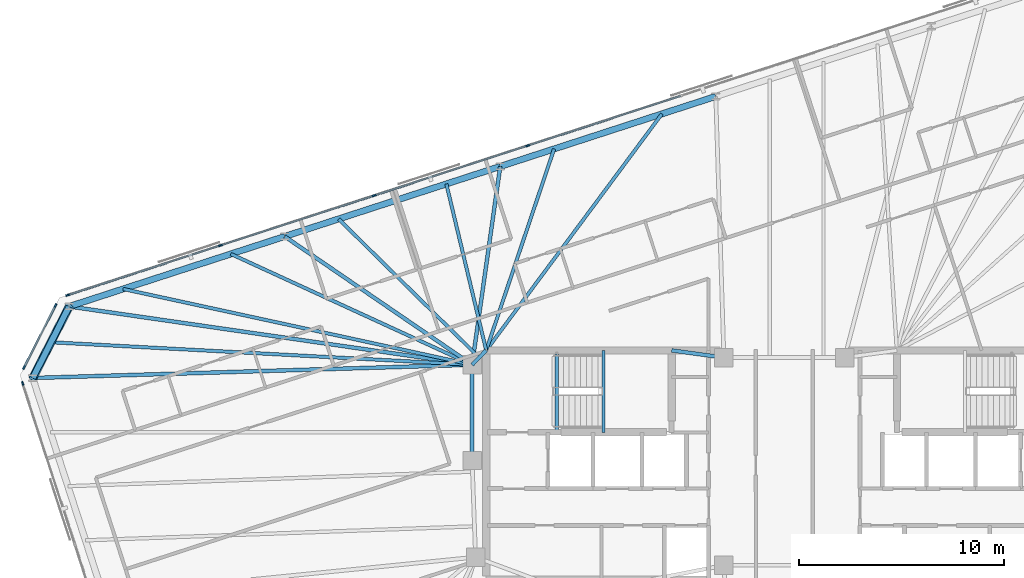
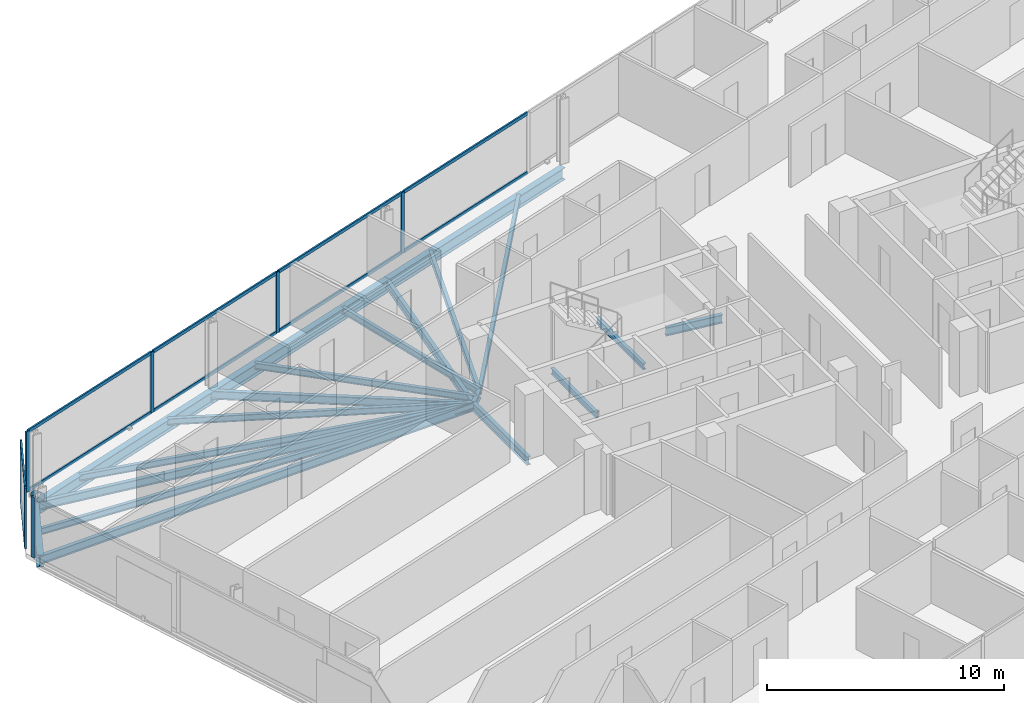
# One storey, part 9 of 20: 20 beams, 18 members, 3 elements without a shape of their own.
"""IFC4 building model written with IfcOpenShell, lengths in metres."""

from ifc_helpers import new_model, si_unit, direction, frame, origin, origin_2d, place, context, subcontext, project, spatial, rectangle, hollow_circle, i_section, extrude, material, material_profile, profile_set, type_object, element, aggregate, save


model = new_model("IFC4")

# Units and contexts
model_context = context("Model", 3, precision=1e-05, world=origin(), true_north=direction((0.0, 1.0)))
body_context = subcontext(model_context, "Body", "Model", "MODEL_VIEW")
ifc_project = project(units=[si_unit("LENGTHUNIT", "METRE"), si_unit("AREAUNIT", "SQUARE_METRE"), si_unit("VOLUMEUNIT", "CUBIC_METRE"), si_unit("PLANEANGLEUNIT", "RADIAN"), si_unit("MASSUNIT", "GRAM", prefix="KILO")], contexts=[model_context])

# Site, building, storey
site_placement = place(None, origin())
site = spatial("IfcSite", under=ifc_project, at=site_placement, CompositionType="ELEMENT")
building_placement = place(site_placement, origin())
building = spatial("IfcBuilding", under=site, at=building_placement, Name="Menara Jurai Vektor", CompositionType="ELEMENT")
storey_placement = place(building_placement, frame((0.0, 0.0, 217.60009765625)))
storey = spatial("IfcBuildingStorey", under=building, at=storey_placement, Name="L57", CompositionType="ELEMENT", Elevation=217.60009765625)

# Curtain wall, members
ifc_material_1 = material(Name="Anodised Pale Aluminium & Low-E Double Glazing", Category="aluminium")
curtain_wall_type = type_object("IfcCurtainWallType", Name="CW-BLK4", PredefinedType="NOTDEFINED", material=ifc_material_1)
curtain_wall_1_placement = place(storey_placement, origin())
curtain_wall_1 = element("IfcCurtainWall", 1, at=curtain_wall_1_placement, inside=storey, type_object=curtain_wall_type, Name="Unitised Curtain Wall L57 F05", PredefinedType="NOTDEFINED")
ifc_material_2 = material(Name="Anodised Pale Aluminium Mullion", Category="aluminium")
ifc_material_profile_1 = material_profile(ifc_material_2, rectangle(XDim=0.080078125, YDim=0.18994140625, at=origin_2d()), Name="ALU MUL 80x190")
ifc_profile_set_1 = profile_set([ifc_material_profile_1], Name="Anodised Pale Aluminium Mullion")
member_type_1 = type_object("IfcMemberType", Name="CW-BLK4-MUL", PredefinedType="MULLION", material=ifc_profile_set_1)
member_1_placement = place(storey_placement, frame((-12.532958984375, 15.601806640625, 0.0), z_axis=(0.0, 0.0, 1.0), x_axis=(0.309017344167, -0.951056402641, 0.0)))
member_1 = element("IfcMember", 2, at=member_1_placement, type_object=member_type_1, Name="CW-04 mullion 5", PredefinedType="MULLION", context=body_context, shape_type="SweptSolid", body=[
    extrude(rectangle(XDim=0.080078125, YDim=0.18994140625, at=origin_2d()), origin(), (0.0, 0.0, 1.0), 3.125),
])
member_2_placement = place(storey_placement, frame((-20.0380859375, 13.163330078125, 0.0), z_axis=(0.0, 0.0, 1.0), x_axis=(0.309017344167, -0.951056402641, 0.0)))
member_2 = element("IfcMember", 3, at=member_2_placement, type_object=member_type_1, Name="CW-04 mullion 6", PredefinedType="MULLION", context=body_context, shape_type="SweptSolid", body=[
    extrude(rectangle(XDim=0.080078125, YDim=0.18994140625, at=origin_2d()), origin(), (0.0, 0.0, 1.0), 3.125),
])
member_3_placement = place(storey_placement, frame((-27.543212890625, 10.724609375, 0.0), z_axis=(0.0, 0.0, 1.0), x_axis=(0.309017344167, -0.951056402641, 0.0)))
member_3 = element("IfcMember", 4, at=member_3_placement, type_object=member_type_1, Name="CW-04 mullion 7", PredefinedType="MULLION", context=body_context, shape_type="SweptSolid", body=[
    extrude(rectangle(XDim=0.080078125, YDim=0.18994140625, at=origin_2d()), origin(), (0.0, 0.0, 1.0), 3.125),
])
member_4_placement = place(storey_placement, frame((-35.010498046875, 8.29833984375, 0.0), z_axis=(0.0, 0.0, 1.0), x_axis=(0.309017344167, -0.951056402641, 0.0)))
member_4 = element("IfcMember", 5, at=member_4_placement, type_object=member_type_1, Name="CW-04 mullion 8", PredefinedType="MULLION", context=body_context, shape_type="SweptSolid", body=[
    extrude(rectangle(XDim=0.080078125, YDim=0.18994140625, at=origin_2d()), origin(), (0.0, 0.0, 1.0), 3.125),
])

curtain_wall_2_placement = place(storey_placement, origin())
curtain_wall_2 = element("IfcCurtainWall", 6, at=curtain_wall_2_placement, inside=storey, type_object=curtain_wall_type, Name="Unitised Curtain Wall L57 F06", PredefinedType="NOTDEFINED")
member_5_placement = place(storey_placement, frame((-35.6005859375, 7.79443359375, 0.0), z_axis=(0.0, 0.0, 1.0), x_axis=(0.89100750243, -0.453988579828, 0.0)))
member_5 = element("IfcMember", 7, at=member_5_placement, type_object=member_type_1, Name="CW-04 mullion 1", PredefinedType="MULLION", context=body_context, shape_type="SweptSolid", body=[
    extrude(rectangle(XDim=0.080078125, YDim=0.18994140625, at=origin_2d()), origin(), (0.0, 0.0, 1.0), 3.125),
])
member_6_placement = place(storey_placement, frame((-37.145263671875, 4.7626953125, 0.0), z_axis=(0.0, 0.0, 1.0), x_axis=(0.89100750243, -0.453988579828, 0.0)))
member_6 = element("IfcMember", 8, at=member_6_placement, type_object=member_type_1, Name="CW-04 mullion 2", PredefinedType="MULLION", context=body_context, shape_type="SweptSolid", body=[
    extrude(rectangle(XDim=0.080078125, YDim=0.18994140625, at=origin_2d()), origin(), (0.0, 0.0, 1.0), 3.125),
])

# Curtain wall, member
curtain_wall_3_placement = place(storey_placement, origin())
curtain_wall_3 = element("IfcCurtainWall", 9, at=curtain_wall_3_placement, inside=storey, type_object=curtain_wall_type, Name="Unitised Curtain Wall L57 F07", PredefinedType="NOTDEFINED")
member_7_placement = place(storey_placement, frame((-37.206298828125, 3.989013671875, 0.0), z_axis=(0.0, 0.0, 1.0), x_axis=(0.95105668295, 0.309016481464, 0.0)))
member_7 = element("IfcMember", 10, at=member_7_placement, type_object=member_type_1, Name="CW-04 mullion 1", PredefinedType="MULLION", context=body_context, shape_type="SweptSolid", body=[
    extrude(rectangle(XDim=0.080078125, YDim=0.18994140625, at=origin_2d()), origin(), (0.0, 0.0, 1.0), 3.125),
])
aggregate(curtain_wall_3, [member_7])

# Member
ifc_material_3 = material(Name="Anodised Pale Aluminium Transom", Category="aluminium")
ifc_material_profile_2 = material_profile(ifc_material_3, rectangle(XDim=0.080078125, YDim=0.1650390625, at=origin_2d()), Name="ALU TRN 80x165")
ifc_profile_set_2 = profile_set([ifc_material_profile_2], Name="Anodised Pale Aluminium Transom")
member_type_2 = type_object("IfcMemberType", Name="CW-BLK4-TRN", PredefinedType="USERDEFINED", material=ifc_profile_set_2)
member_8_placement = place(storey_placement, frame((-5.06591796875, 18.028076171875, 0.039794921875), z_axis=(-0.95105634578, -0.309017519167, 0.0), x_axis=(0.309017519167, -0.95105634578, 0.0)))
member_8 = element("IfcMember", 11, at=member_8_placement, type_object=member_type_2, Name="CW-04 transom 4.1", ObjectType="TRANSOM", PredefinedType="USERDEFINED", context=body_context, shape_type="SweptSolid", body=[
    extrude(rectangle(XDim=0.080078125, YDim=0.1650390625, at=origin_2d()), origin(), (0.0, 0.0, 1.0), 7.811279296875),
])

member_9_placement = place(storey_placement, frame((-5.06591796875, 18.028076171875, 3.0849609375), z_axis=(-0.95105634578, -0.309017519167, 0.0), x_axis=(0.309017519167, -0.95105634578, 0.0)))
member_9 = element("IfcMember", 12, at=member_9_placement, type_object=member_type_2, Name="CW-04 transom 4.2", ObjectType="TRANSOM", PredefinedType="USERDEFINED", context=body_context, shape_type="SweptSolid", body=[
    extrude(rectangle(XDim=0.080078125, YDim=0.1650390625, at=origin_2d()), origin(), (0.0, 0.0, 1.0), 7.811279296875),
])

member_10_placement = place(storey_placement, frame((-12.571044921875, 15.589599609375, 0.039794921875), z_axis=(-0.95104715984, -0.309045789099, 0.0), x_axis=(0.309045789099, -0.95104715984, 0.0)))
member_10 = element("IfcMember", 13, at=member_10_placement, type_object=member_type_2, Name="CW-04 transom 5.1", ObjectType="TRANSOM", PredefinedType="USERDEFINED", context=body_context, shape_type="SweptSolid", body=[
    extrude(rectangle(XDim=0.080078125, YDim=0.1650390625, at=origin_2d()), origin(), (0.0, 0.0, 1.0), 7.811279296875),
])

member_11_placement = place(storey_placement, frame((-12.571044921875, 15.589599609375, 3.0849609375), z_axis=(-0.95104715984, -0.309045789099, 0.0), x_axis=(0.309045789099, -0.95104715984, 0.0)))
member_11 = element("IfcMember", 14, at=member_11_placement, type_object=member_type_2, Name="CW-04 transom 5.2", ObjectType="TRANSOM", PredefinedType="USERDEFINED", context=body_context, shape_type="SweptSolid", body=[
    extrude(rectangle(XDim=0.080078125, YDim=0.1650390625, at=origin_2d()), origin(), (0.0, 0.0, 1.0), 7.811279296875),
])

member_12_placement = place(storey_placement, frame((-20.076171875, 13.15087890625, 0.039794921875), z_axis=(-0.951059330237, -0.309008333817, 0.0), x_axis=(0.309008333817, -0.951059330237, 0.0)))
member_12 = element("IfcMember", 15, at=member_12_placement, type_object=member_type_2, Name="CW-04 transom 6.1", ObjectType="TRANSOM", PredefinedType="USERDEFINED", context=body_context, shape_type="SweptSolid", body=[
    extrude(rectangle(XDim=0.080078125, YDim=0.1650390625, at=origin_2d()), origin(), (0.0, 0.0, 1.0), 7.8115234375),
])

member_13_placement = place(storey_placement, frame((-20.076171875, 13.15087890625, 3.0849609375), z_axis=(-0.951059330237, -0.309008333817, 0.0), x_axis=(0.309008333817, -0.951059330237, 0.0)))
member_13 = element("IfcMember", 16, at=member_13_placement, type_object=member_type_2, Name="CW-04 transom 6.2", ObjectType="TRANSOM", PredefinedType="USERDEFINED", context=body_context, shape_type="SweptSolid", body=[
    extrude(rectangle(XDim=0.080078125, YDim=0.1650390625, at=origin_2d()), origin(), (0.0, 0.0, 1.0), 7.8115234375),
])

member_14_placement = place(storey_placement, frame((-27.581298828125, 10.71240234375, 0.039794921875), z_axis=(-0.951052997543, -0.309027823771, 0.0), x_axis=(0.309027823771, -0.951052997543, 0.0)))
member_14 = element("IfcMember", 17, at=member_14_placement, type_object=member_type_2, Name="CW-04 transom 7.1", ObjectType="TRANSOM", PredefinedType="USERDEFINED", context=body_context, shape_type="SweptSolid", body=[
    extrude(rectangle(XDim=0.080078125, YDim=0.1650390625, at=origin_2d()), origin(), (0.0, 0.0, 1.0), 7.771484375),
])

member_15_placement = place(storey_placement, frame((-27.581298828125, 10.71240234375, 3.0849609375), z_axis=(-0.951052997543, -0.309027823771, 0.0), x_axis=(0.309027823771, -0.951052997543, 0.0)))
member_15 = element("IfcMember", 18, at=member_15_placement, type_object=member_type_2, Name="CW-04 transom 7.2", ObjectType="TRANSOM", PredefinedType="USERDEFINED", context=body_context, shape_type="SweptSolid", body=[
    extrude(rectangle(XDim=0.080078125, YDim=0.1650390625, at=origin_2d()), origin(), (0.0, 0.0, 1.0), 7.771484375),
])

aggregate(curtain_wall_1, [member_1, member_2, member_3, member_4, member_8, member_9, member_10, member_11, member_12, member_13, member_14, member_15])

member_16_placement = place(storey_placement, frame((-35.61865234375, 7.7587890625, 0.039794921875), z_axis=(-0.454019339544, -0.890991828986, 0.0), x_axis=(0.890991828986, -0.454019339544, 0.0)))
member_16 = element("IfcMember", 19, at=member_16_placement, type_object=member_type_2, Name="CW-04 transom 1.1", ObjectType="TRANSOM", PredefinedType="USERDEFINED", context=body_context, shape_type="SweptSolid", body=[
    extrude(rectangle(XDim=0.080078125, YDim=0.1650390625, at=origin_2d()), origin(), (0.0, 0.0, 1.0), 3.32275390625),
])

member_17_placement = place(storey_placement, frame((-35.61865234375, 7.7587890625, 3.0849609375), z_axis=(-0.454019339544, -0.890991828986, 0.0), x_axis=(0.890991828986, -0.454019339544, 0.0)))
member_17 = element("IfcMember", 20, at=member_17_placement, type_object=member_type_2, Name="CW-04 transom 1.2", ObjectType="TRANSOM", PredefinedType="USERDEFINED", context=body_context, shape_type="SweptSolid", body=[
    extrude(rectangle(XDim=0.080078125, YDim=0.1650390625, at=origin_2d()), origin(), (0.0, 0.0, 1.0), 3.32275390625),
])

aggregate(curtain_wall_2, [member_5, member_6, member_16, member_17])

# Beams
ifc_material_4 = material(Name="Steel S355", Category="steel")
ifc_material_profile_3 = material_profile(ifc_material_4, i_section(OverallWidth=0.18505859375, OverallDepth=0.429931640625, WebThickness=0.010986328125, FlangeThickness=0.01806640625, at=origin_2d()), Name="PG 430x185x76")
ifc_profile_set_3 = profile_set([ifc_material_profile_3], Name="Steel S355")
beam_type_1 = type_object("IfcBeamType", Name="STR-BM-430", PredefinedType="BEAM", material=ifc_profile_set_3)
beam_1_placement = place(storey_placement, frame((-15.25, 4.89990234375, -0.440185546875), z_axis=(0.701871936926, 0.712303154672, 0.0), x_axis=(-0.712303154672, 0.701871936926, 0.0)))
element("IfcBeam", 21, at=beam_1_placement, inside=storey, type_object=beam_type_1, Name="Core Ring Header Girder L57-CHW-N1", PredefinedType="BEAM", context=body_context, shape_type="SweptSolid", body=[
    extrude(i_section(OverallWidth=0.18505859375, OverallDepth=0.429931640625, WebThickness=0.010986328125, FlangeThickness=0.01806640625, at=origin_2d()), origin(), (0.0, 0.0, 1.0), 0.98291015625),
])
beam_2_placement = place(storey_placement, frame((-5.5, 5.60009765625, -0.440185546875), z_axis=(0.990706818608, -0.136014703483, 0.0), x_axis=(0.136014703483, 0.990706818608, 0.0)))
element("IfcBeam", 22, at=beam_2_placement, inside=storey, type_object=beam_type_1, Name="Core Ring Header Girder L57-CHW-N2", PredefinedType="BEAM", context=body_context, shape_type="SweptSolid", body=[
    extrude(i_section(OverallWidth=0.18505859375, OverallDepth=0.429931640625, WebThickness=0.010986328125, FlangeThickness=0.01806640625, at=origin_2d()), origin(), (0.0, 0.0, 1.0), 2.573974609375),
])
beam_3_placement = place(storey_placement, frame((-15.25, 0.219970703125, -0.440185546875), z_axis=(0.0, 1.0, 0.0), x_axis=(-1.0, 0.0, 0.0)))
element("IfcBeam", 23, at=beam_3_placement, inside=storey, type_object=beam_type_1, Name="Core Ring Header Girder L57-CHW-W1", PredefinedType="BEAM", context=body_context, shape_type="SweptSolid", body=[
    extrude(i_section(OverallWidth=0.18505859375, OverallDepth=0.429931640625, WebThickness=0.010986328125, FlangeThickness=0.01806640625, at=origin_2d()), origin(), (0.0, 0.0, 1.0), 4.679931640625),
])
beam_4_placement = place(storey_placement, frame((-13.875, 14.58740234375, -0.440185546875), z_axis=(-0.140527035582, -0.990076841599, 0.0), x_axis=(0.990076841599, -0.140527035582, 0.0)))
element("IfcBeam", 24, at=beam_4_placement, inside=storey, type_object=beam_type_1, Name="Radial Floor Girder L57-N4", PredefinedType="BEAM", context=body_context, shape_type="SweptSolid", body=[
    extrude(i_section(OverallWidth=0.18505859375, OverallDepth=0.429931640625, WebThickness=0.010986328125, FlangeThickness=0.01806640625, at=origin_2d()), origin(), (0.0, 0.0, 1.0), 9.78466796875),
])
beam_5_placement = place(storey_placement, frame((-24.404296875, 11.166259765625, -0.440185546875), z_axis=(0.825185786768, -0.564861414257, 0.0), x_axis=(0.564861414257, 0.825185786768, 0.0)))
element("IfcBeam", 25, at=beam_5_placement, inside=storey, type_object=beam_type_1, Name="Radial Floor Girder L57-N5", PredefinedType="BEAM", context=body_context, shape_type="SweptSolid", body=[
    extrude(i_section(OverallWidth=0.18505859375, OverallDepth=0.429931640625, WebThickness=0.010986328125, FlangeThickness=0.01806640625, at=origin_2d()), origin(), (0.0, 0.0, 1.0), 11.093505859375),
])
beam_6_placement = place(storey_placement, frame((-34.93359375, 7.7451171875, -0.440185546875), z_axis=(0.989713916117, -0.14306070126, 0.0), x_axis=(0.14306070126, 0.989713916117, 0.0)))
element("IfcBeam", 26, at=beam_6_placement, inside=storey, type_object=beam_type_1, Name="Radial Floor Girder L57-N6", PredefinedType="BEAM", context=body_context, shape_type="SweptSolid", body=[
    extrude(i_section(OverallWidth=0.18505859375, OverallDepth=0.429931640625, WebThickness=0.010986328125, FlangeThickness=0.01806640625, at=origin_2d()), origin(), (0.0, 0.0, 1.0), 19.88818359375),
])
beam_7_placement = place(storey_placement, frame((-36.71337890625, 4.251953125, -0.440185546875), z_axis=(0.999544635638, 0.030174846589, 0.0), x_axis=(-0.030174846589, 0.999544635638, 0.0)))
element("IfcBeam", 27, at=beam_7_placement, inside=storey, type_object=beam_type_1, Name="Radial Floor Girder L57-W1", PredefinedType="BEAM", context=body_context, shape_type="SweptSolid", body=[
    extrude(i_section(OverallWidth=0.18505859375, OverallDepth=0.429931640625, WebThickness=0.010986328125, FlangeThickness=0.01806640625, at=origin_2d()), origin(), (0.0, 0.0, 1.0), 21.47314453125),
])

# Member
ifc_material_5 = material(Name="Steel S460", Category="steel")
ifc_material_profile_4 = material_profile(ifc_material_5, hollow_circle(Radius=0.203125, WallThickness=0.01611328125, at=origin_2d()), Name="CHS 406.4x16")
ifc_profile_set_4 = profile_set([ifc_material_profile_4], Name="Steel S460")
member_type_3 = type_object("IfcMemberType", Name="STR-BR-406", PredefinedType="BRACE", material=ifc_profile_set_4)
member_18_placement = place(storey_placement, frame((-34.93359375, 7.7451171875, 0.14990234375), z_axis=(-0.377225079071, -0.740375367811, 0.556368182465), x_axis=(0.891013832566, -0.453976155955, 0.0)))
element("IfcMember", 28, at=member_18_placement, inside=storey, type_object=member_type_3, Name="Exoskeleton Corner Brace L57-3", PredefinedType="BRACE", context=body_context, shape_type="SweptSolid", body=[
    extrude(hollow_circle(Radius=0.203125, WallThickness=0.01611328125, at=origin_2d()), origin(), (0.0, 0.0, 1.0), 4.718017578125),
])

# Beams
ifc_material_profile_5 = material_profile(ifc_material_4, i_section(OverallWidth=0.1650390625, OverallDepth=0.330078125, WebThickness=0.009033203125, FlangeThickness=0.013916015625, at=origin_2d()), Name="PG 330x165x46")
ifc_profile_set_5 = profile_set([ifc_material_profile_5], Name="Steel S355")
beam_type_2 = type_object("IfcBeamType", Name="STR-JS-330", PredefinedType="JOIST", material=ifc_profile_set_5)
beam_8_placement = place(storey_placement, frame((-5.97802734375, 17.1533203125, -0.39013671875), z_axis=(-0.59630776033, -0.802755912448, 0.0), x_axis=(0.802755912448, -0.59630776033, 0.0)))
element("IfcBeam", 29, at=beam_8_placement, inside=storey, type_object=beam_type_2, Name="Radial Secondary Floor Joist L57-JS21", PredefinedType="JOIST", context=body_context, shape_type="SweptSolid", body=[
    extrude(i_section(OverallWidth=0.1650390625, OverallDepth=0.330078125, WebThickness=0.009033203125, FlangeThickness=0.013916015625, at=origin_2d()), origin(), (0.0, 0.0, 1.0), 14.391845703125),
])
beam_9_placement = place(storey_placement, frame((-11.24267578125, 15.44287109375, -0.39013671875), z_axis=(-0.319385076217, -0.94762501713, 0.0), x_axis=(0.94762501713, -0.319385076217, 0.0)))
element("IfcBeam", 30, at=beam_9_placement, inside=storey, type_object=beam_type_2, Name="Radial Secondary Floor Joist L57-JS22", PredefinedType="JOIST", context=body_context, shape_type="SweptSolid", body=[
    extrude(i_section(OverallWidth=0.1650390625, OverallDepth=0.330078125, WebThickness=0.009033203125, FlangeThickness=0.013916015625, at=origin_2d()), origin(), (0.0, 0.0, 1.0), 10.38671875),
])
beam_10_placement = place(storey_placement, frame((-16.50732421875, 13.732177734375, -0.39013671875), z_axis=(0.23287158907, -0.972507492518, 0.0), x_axis=(0.972507492518, 0.23287158907, 0.0)))
element("IfcBeam", 31, at=beam_10_placement, inside=storey, type_object=beam_type_2, Name="Radial Secondary Floor Joist L57-JS23", PredefinedType="JOIST", context=body_context, shape_type="SweptSolid", body=[
    extrude(i_section(OverallWidth=0.1650390625, OverallDepth=0.330078125, WebThickness=0.009033203125, FlangeThickness=0.013916015625, at=origin_2d()), origin(), (0.0, 0.0, 1.0), 8.362060546875),
])
beam_11_placement = place(storey_placement, frame((-21.77197265625, 12.021484375, -0.39013671875), z_axis=(0.7121893722, -0.701987391714, 0.0), x_axis=(0.701987391714, 0.7121893722, 0.0)))
element("IfcBeam", 32, at=beam_11_placement, inside=storey, type_object=beam_type_2, Name="Radial Secondary Floor Joist L57-JS24", PredefinedType="JOIST", context=body_context, shape_type="SweptSolid", body=[
    extrude(i_section(OverallWidth=0.1650390625, OverallDepth=0.330078125, WebThickness=0.009033203125, FlangeThickness=0.013916015625, at=origin_2d()), origin(), (0.0, 0.0, 1.0), 9.64404296875),
])
beam_12_placement = place(storey_placement, frame((-27.03662109375, 10.31103515625, -0.39013671875), z_axis=(0.908803804095, -0.417223735738, 0.0), x_axis=(0.417223735738, 0.908803804095, 0.0)))
element("IfcBeam", 33, at=beam_12_placement, inside=storey, type_object=beam_type_2, Name="Radial Secondary Floor Joist L57-JS25", PredefinedType="JOIST", context=body_context, shape_type="SweptSolid", body=[
    extrude(i_section(OverallWidth=0.1650390625, OverallDepth=0.330078125, WebThickness=0.009033203125, FlangeThickness=0.013916015625, at=origin_2d()), origin(), (0.0, 0.0, 1.0), 12.969482421875),
])
beam_13_placement = place(storey_placement, frame((-32.30126953125, 8.600341796875, -0.39013671875), z_axis=(0.977251946396, -0.212081666498, 0.0), x_axis=(0.212081666498, 0.977251946396, 0.0)))
element("IfcBeam", 34, at=beam_13_placement, inside=storey, type_object=beam_type_2, Name="Radial Secondary Floor Joist L57-JS26", PredefinedType="JOIST", context=body_context, shape_type="SweptSolid", body=[
    extrude(i_section(OverallWidth=0.1650390625, OverallDepth=0.330078125, WebThickness=0.009033203125, FlangeThickness=0.013916015625, at=origin_2d()), origin(), (0.0, 0.0, 1.0), 17.4482421875),
])
beam_14_placement = place(storey_placement, frame((-35.823486328125, 5.99853515625, -0.39013671875), z_axis=(0.998577239708, -0.053324444086, 0.0), x_axis=(0.053324444086, 0.998577239708, 0.0)))
element("IfcBeam", 35, at=beam_14_placement, inside=storey, type_object=beam_type_2, Name="Radial Secondary Floor Joist L57-JS27", PredefinedType="JOIST", context=body_context, shape_type="SweptSolid", body=[
    extrude(i_section(OverallWidth=0.1650390625, OverallDepth=0.330078125, WebThickness=0.009033203125, FlangeThickness=0.013916015625, at=origin_2d()), origin(), (0.0, 0.0, 1.0), 20.602783203125),
])
ifc_material_profile_6 = material_profile(ifc_material_4, i_section(OverallWidth=0.1650390625, OverallDepth=0.302978515625, WebThickness=0.006103515625, FlangeThickness=0.010009765625, FilletRadius=0.009033203125, at=origin_2d()), Name="UKB 305x165x40")
ifc_profile_set_6 = profile_set([ifc_material_profile_6], Name="Steel S355")
beam_type_3 = type_object("IfcBeamType", Name="STR-LN-305", PredefinedType="LINTEL", material=ifc_profile_set_6)
beam_15_placement = place(storey_placement, frame((-11.1201171875, 1.60009765625, -0.376708984375), z_axis=(0.0, 1.0, 0.0), x_axis=(-1.0, 0.0, 0.0)))
element("IfcBeam", 36, at=beam_15_placement, inside=storey, type_object=beam_type_3, Name="Stair Well Floor Trimmer ST1 L57", PredefinedType="LINTEL", context=body_context, shape_type="SweptSolid", body=[
    extrude(i_section(OverallWidth=0.1650390625, OverallDepth=0.302978515625, WebThickness=0.006103515625, FlangeThickness=0.010009765625, FilletRadius=0.009033203125, at=origin_2d()), origin(), (0.0, 0.0, 1.0), 3.81982421875),
])
beam_16_placement = place(storey_placement, frame((-8.830078125, 1.60009765625, 1.323486328125), z_axis=(0.0, 1.0, 0.0), x_axis=(-1.0, 0.0, 0.0)))
element("IfcBeam", 37, at=beam_16_placement, inside=storey, type_object=beam_type_3, Name="Stair Half-Landing Nosing Trimmer ST1-1 L57", PredefinedType="LINTEL", context=body_context, shape_type="SweptSolid", body=[
    extrude(i_section(OverallWidth=0.1650390625, OverallDepth=0.302978515625, WebThickness=0.006103515625, FlangeThickness=0.010009765625, FilletRadius=0.009033203125, at=origin_2d()), origin(), (0.0, 0.0, 1.0), 4.0),
])
ifc_material_profile_7 = material_profile(ifc_material_4, i_section(OverallWidth=0.306884765625, OverallDepth=0.6201171875, WebThickness=0.013916015625, FlangeThickness=0.02392578125, FilletRadius=0.01708984375, at=origin_2d()), Name="UKB 610x305x179")
ifc_profile_set_7 = profile_set([ifc_material_profile_7], Name="Steel S355")
beam_type_4 = type_object("IfcBeamType", Name="STR-SP-610", PredefinedType="SPANDREL", material=ifc_profile_set_7)
for number, where, z_axis, x_axis, name in (
    (38, (-3.345703125, 18.008544921875, -0.53515625), (-0.951057401967, -0.309014268544, 0.0), (0.309014268544, -0.951057401967, 0.0), "Exoskeleton Spandrel Beam L57-13"),
    (39, (-13.875, 14.58740234375, -0.53515625), (-0.951057401967, -0.309014268544, 0.0), (0.309014268544, -0.951057401967, 0.0), "Exoskeleton Spandrel Beam L57-14"),
    (40, (-24.404296875, 11.166259765625, -0.53515625), (-0.951057401967, -0.309014268544, 0.0), (0.309014268544, -0.951057401967, 0.0), "Exoskeleton Spandrel Beam L57-15"),
):
    element("IfcBeam", number, at=place(storey_placement, frame(where, z_axis=z_axis, x_axis=x_axis)), inside=storey, type_object=beam_type_4, Name=name, PredefinedType="SPANDREL", context=body_context, shape_type="SweptSolid", body=[
        extrude(i_section(OverallWidth=0.306884765625, OverallDepth=0.6201171875, WebThickness=0.013916015625, FlangeThickness=0.02392578125, FilletRadius=0.01708984375, at=origin_2d()), origin(), (0.0, 0.0, 1.0), 11.071044921875),
    ])
beam_17_placement = place(storey_placement, frame((-34.93359375, 7.7451171875, -0.53515625), z_axis=(-0.453976155955, -0.891013832566, 0.0), x_axis=(0.891013832566, -0.453976155955, 0.0)))
element("IfcBeam", 41, at=beam_17_placement, inside=storey, type_object=beam_type_4, Name="Exoskeleton Spandrel Beam L57-16", PredefinedType="SPANDREL", context=body_context, shape_type="SweptSolid", body=[
    extrude(i_section(OverallWidth=0.306884765625, OverallDepth=0.6201171875, WebThickness=0.013916015625, FlangeThickness=0.02392578125, FilletRadius=0.01708984375, at=origin_2d()), origin(), (0.0, 0.0, 1.0), 3.92041015625),
])

save(model, "model.ifc")
